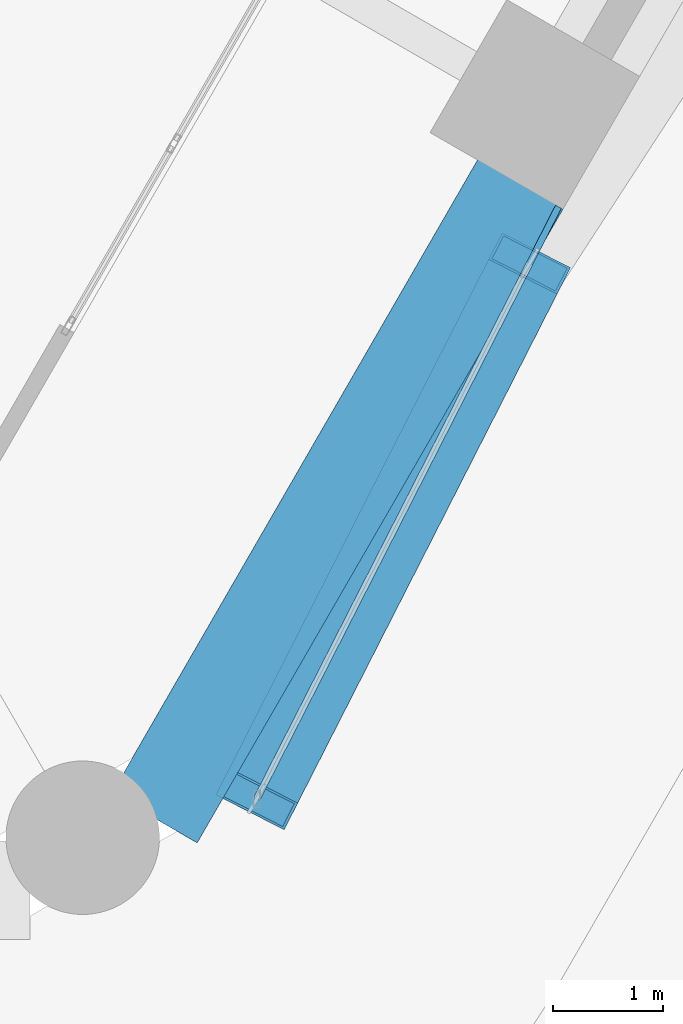
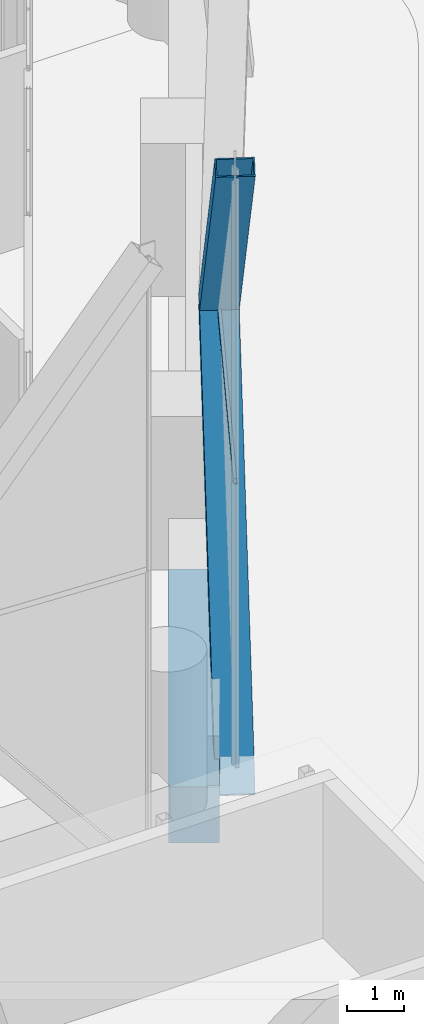
# One storey, part 29 of 71: 3 members, 1 beam, 1 element without a shape of its own.
"""IFC4 building model written with IfcOpenShell, lengths in metres."""

import ifcopenshell
import ifcopenshell.guid

model = None  # the IFC model being written
_history = None  # IfcOwnerHistory: only IFC2X3 demands one
_inside = {}  # id of a spatial element -> (the spatial element, [elements in it])
_under = {}  # id of a project, library or spatial element -> (it, [spatial elements below it])
_declared = {}  # id of a project -> (the project, [libraries it declares])
_typed = {}  # id of a type object -> (the type object, [elements of that type])
_made_of = {}  # id of a material, layer set ... -> (it, [elements and type objects made of it])


def new_model(schema):
    """Start an empty IFC model of exactly this schema.

    Asked for "IFC4X3", IfcOpenShell would pick the latest addendum, in which some entities
    have other attributes; the version numbers below select the first issue.
    IFC2X3 requires an IfcOwnerHistory on every rooted entity: one is made here for all.
    """
    global model, _history
    if schema == "IFC4X3":
        model = ifcopenshell.file(schema_version=(4, 3, 0, 0))
    else:
        model = ifcopenshell.file(schema=schema)
    _inside.clear()
    _under.clear()
    _declared.clear()
    _typed.clear()
    _made_of.clear()
    _history = None
    if model.schema == "IFC2X3":
        org = make("IfcOrganization", Name="unknown")
        user = make(
            "IfcPersonAndOrganization",
            ThePerson=make("IfcPerson", FamilyName="unknown"),
            TheOrganization=org,
        )
        app = make(
            "IfcApplication",
            ApplicationDeveloper=org,
            Version="unknown",
            ApplicationFullName="unknown",
            ApplicationIdentifier="unknown",
        )
        _history = make(
            "IfcOwnerHistory",
            OwningUser=user,
            OwningApplication=app,
            ChangeAction="ADDED",
            CreationDate=0,
        )
    return model


def make(cls, **values):
    """One entity of the class cls with the attributes given. An attribute that is None is left unset."""
    return model.create_entity(
        cls, **{name: value for name, value in values.items() if value is not None}
    )


def rooted(cls, **values):
    """An entity with a GlobalId (a new one), such as an element, a storey or a relation."""
    return make(cls, GlobalId=ifcopenshell.guid.new(), OwnerHistory=_history, **values)


def si_unit(unit_type, name, prefix=None):
    """IfcSIUnit, for example si_unit("LENGTHUNIT", "METRE", prefix="MILLI")."""
    return make("IfcSIUnit", UnitType=unit_type, Prefix=prefix, Name=name)


def assignment(units):
    """IfcUnitAssignment: the units of a project."""
    return None if units is None else make("IfcUnitAssignment", Units=units)


def point(xyz):
    """IfcCartesianPoint."""
    return None if xyz is None else make("IfcCartesianPoint", Coordinates=xyz)


def direction(xyz):
    """IfcDirection."""
    return None if xyz is None else make("IfcDirection", DirectionRatios=xyz)


def frame(location, z_axis=None, x_axis=None):
    """IfcAxis2Placement3D, a coordinate frame: its origin and axes. An axis left out is left unset."""
    return make(
        "IfcAxis2Placement3D",
        Location=point(location),
        Axis=direction(z_axis),
        RefDirection=direction(x_axis),
    )


def frame_2d(location, x_axis=None):
    """IfcAxis2Placement2D, a coordinate frame in the plane: its origin and x axis."""
    return make(
        "IfcAxis2Placement2D", Location=point(location), RefDirection=direction(x_axis)
    )


def origin():
    """The frame at (0, 0, 0) with its axes left unset."""
    return frame((0.0, 0.0, 0.0))


def origin_2d():
    """The frame at (0, 0) in the plane with its x axis left unset."""
    return frame_2d((0.0, 0.0))


def place(relative_to, where):
    """IfcLocalPlacement: puts the frame where relative to a parent placement (None: the world)."""
    return make(
        "IfcLocalPlacement", PlacementRelTo=relative_to, RelativePlacement=where
    )


def context(
    kind, dimensions, precision=None, world=None, true_north=None, identifier=None
):
    """IfcGeometricRepresentationContext, for example the 3D "Model" context."""
    return make(
        "IfcGeometricRepresentationContext",
        ContextIdentifier=identifier,
        ContextType=kind,
        CoordinateSpaceDimension=dimensions,
        Precision=precision,
        WorldCoordinateSystem=world,
        TrueNorth=true_north,
    )


def subcontext(parent, identifier, kind, view, scale=None):
    """IfcGeometricRepresentationSubContext, for example "Body" below "Model"."""
    return make(
        "IfcGeometricRepresentationSubContext",
        ContextIdentifier=identifier,
        ContextType=kind,
        ParentContext=parent,
        TargetScale=scale,
        TargetView=view,
    )


def project(units=None, contexts=None):
    """IfcProject with its units and contexts."""
    return rooted(
        "IfcProject",
        Name="project",
        RepresentationContexts=contexts,
        UnitsInContext=assignment(units),
    )


def spatial(cls, under=None, at=None, **own):
    """A site, building, storey or space (cls), placed at a placement, below another one or the project."""
    s = rooted(cls, ObjectPlacement=at, **own)
    if under is not None:
        _under.setdefault(under.id(), (under, []))[1].append(s)
    return s


def profile(cls, at=None, kind="AREA", **sizes):
    """A parametric profile (cls). Its sizes go by their IFC names, for example OverallWidth=200.0."""
    return make(cls, ProfileType=kind, Position=at, **sizes)


def rectangle(**sizes):
    """IfcRectangleProfileDef."""
    return profile("IfcRectangleProfileDef", **sizes)


def hollow_rectangle(**sizes):
    """IfcRectangleHollowProfileDef."""
    return profile("IfcRectangleHollowProfileDef", **sizes)


def extrude(swept, where, along, depth):
    """IfcExtrudedAreaSolid: the profile swept, set in the frame where, extruded along a direction by depth."""
    return make(
        "IfcExtrudedAreaSolid",
        SweptArea=swept,
        Position=where,
        ExtrudedDirection=direction(along),
        Depth=depth,
    )


def shape(context_of_items, identifier, shape_type, items):
    """IfcShapeRepresentation: the items that make up one representation, for example the "Body"."""
    return make(
        "IfcShapeRepresentation",
        ContextOfItems=context_of_items,
        RepresentationIdentifier=identifier,
        RepresentationType=shape_type,
        Items=items,
    )


def material(Name=None, Category=None):
    """IfcMaterial."""
    return make("IfcMaterial", Name=Name, Category=Category)


def material_profile(
    of_material, cross_section, Name=None, Category=None, Priority=None
):
    """IfcMaterialProfile: a cross section and its material."""
    return make(
        "IfcMaterialProfile",
        Name=Name,
        Material=of_material,
        Profile=cross_section,
        Priority=Priority,
        Category=Category,
    )


def profile_set(profiles, Name=None, composite=None):
    """IfcMaterialProfileSet."""
    return make(
        "IfcMaterialProfileSet",
        Name=Name,
        MaterialProfiles=profiles,
        CompositeProfile=composite,
    )


def made_of(thing, what):
    """Note that an element or type object is made of a material, layer set ...; save() writes the relation."""
    if what is not None:
        _made_of.setdefault(what.id(), (what, []))[1].append(thing)
    return thing


def type_object(cls, material=None, **own):
    """A type object (cls), such as IfcWallType, which elements share."""
    return made_of(rooted(cls, **own), material)


def element(
    cls,
    number,
    at=None,
    inside=None,
    cuts=None,
    type_object=None,
    material=None,
    context=None,
    identifier="Body",
    shape_type=None,
    held_by="IfcProductDefinitionShape",
    body=None,
    shapes=None,
    **own,
):
    """One element of the class cls, such as IfcWall. Its Tag is "e" and its number.

    at: its placement. inside: the storey or other place that contains it. cuts: it is an
    opening in that element (IfcRelVoidsElement). A single representation is given by context,
    identifier, shape_type and body (its items); several are given by shapes. held_by: the class
    of the entity that holds the representations. save() writes the other relations.
    """
    e = rooted(cls, Tag="e%d" % number, ObjectPlacement=at, **own)
    if body is not None:
        shapes = [shape(context, identifier, shape_type, body)]
    if shapes is not None:
        e.Representation = make(held_by, Representations=shapes)
    if inside is not None:
        _inside.setdefault(inside.id(), (inside, []))[1].append(e)
    if cuts is not None:
        rooted(
            "IfcRelVoidsElement", RelatingBuildingElement=cuts, RelatedOpeningElement=e
        )
    if type_object is not None:
        _typed.setdefault(type_object.id(), (type_object, []))[1].append(e)
    return made_of(e, material)


def aggregate(whole, parts):
    """IfcRelAggregates: a whole, such as a stair, and the parts it consists of."""
    return rooted("IfcRelAggregates", RelatingObject=whole, RelatedObjects=parts)


def save(model, path):
    """Write the relations noted so far, then the file.

    IfcRelAggregates (storeys below a building ...), IfcRelContainedInSpatialStructure (elements
    in a storey), IfcRelDefinesByType, IfcRelAssociatesMaterial and IfcRelDeclares: one each for
    every whole, place, type object, material and project.
    """
    for whole, parts in _under.values():
        aggregate(whole, parts)
    for where, things in _inside.values():
        rooted(
            "IfcRelContainedInSpatialStructure",
            RelatedElements=things,
            RelatingStructure=where,
        )
    for kind, things in _typed.values():
        rooted("IfcRelDefinesByType", RelatedObjects=things, RelatingType=kind)
    for what, things in _made_of.values():
        rooted("IfcRelAssociatesMaterial", RelatedObjects=things, RelatingMaterial=what)
    for by, libraries in _declared.values():
        rooted("IfcRelDeclares", RelatingContext=by, RelatedDefinitions=libraries)
    model.write(path)


model = new_model("IFC4")

# Units and contexts
model_context = context("Model", 3, precision=1e-05, world=origin(), true_north=direction((0.0, 1.0)))
body_context = subcontext(model_context, "Body", "Model", "MODEL_VIEW")
ifc_project = project(units=[si_unit("LENGTHUNIT", "METRE"), si_unit("AREAUNIT", "SQUARE_METRE"), si_unit("VOLUMEUNIT", "CUBIC_METRE"), si_unit("PLANEANGLEUNIT", "RADIAN"), si_unit("MASSUNIT", "GRAM", prefix="KILO")], contexts=[model_context])

# Site, building, storey
site_placement = place(None, origin())
site = spatial("IfcSite", under=ifc_project, at=site_placement, CompositionType="ELEMENT")
building_placement = place(site_placement, origin())
building = spatial("IfcBuilding", under=site, at=building_placement, Name="Ostrander Bayou Hotel Tower", CompositionType="ELEMENT")
storey_placement = place(building_placement, frame((0.0, 0.0, 10.0)))
storey = spatial("IfcBuildingStorey", under=building, at=storey_placement, Name="L02", CompositionType="ELEMENT", Elevation=10.0)

# Curtain wall, member
ifc_material_1 = material(Name="Aluminium and clear glass", Category="aluminium")
curtain_wall_type = type_object("IfcCurtainWallType", Name="CW-LAT lattice glazing", PredefinedType="NOTDEFINED", material=ifc_material_1)
curtain_wall_placement = place(storey_placement, origin())
curtain_wall = element("IfcCurtainWall", 1, at=curtain_wall_placement, inside=storey, type_object=curtain_wall_type, Name="CW-LAT L02 SE 2", PredefinedType="NOTDEFINED")
ifc_material_2 = material(Name="Aluminium", Category="aluminium")
ifc_material_profile_1 = material_profile(ifc_material_2, hollow_rectangle(XDim=0.06005859375, YDim=0.1201171875, WallThickness=0.00390625, at=origin_2d()))
ifc_profile_set_1 = profile_set([ifc_material_profile_1], Name="Aluminium")
member_type_1 = type_object("IfcMemberType", Name="CW-LA transom 60 x 120 mm", PredefinedType="USERDEFINED", material=ifc_profile_set_1)
member_placement = place(storey_placement, frame((13.637939453125, -20.5185546875, 6.14990234375), z_axis=(0.45398127214, 0.891011225825, 0.0), x_axis=(-0.891011225825, 0.45398127214, 0.0)))
member = element("IfcMember", 2, at=member_placement, type_object=member_type_1, Name="CW-LAT transom 3", ObjectType="TRANSOM", PredefinedType="USERDEFINED", context=body_context, shape_type="SweptSolid", body=[
    extrude(hollow_rectangle(XDim=0.06005859375, YDim=0.1201171875, WallThickness=0.00390625, at=origin_2d()), origin(), (0.0, 0.0, 1.0), 6.0634765625),
])
aggregate(curtain_wall, [member])

# Members
ifc_material_3 = material(Name="Steel ASTM A572 Gr 50", Category="steel")
ifc_material_profile_2 = material_profile(ifc_material_3, hollow_rectangle(XDim=0.699951171875, YDim=0.35009765625, WallThickness=0.02490234375, at=origin_2d()))
ifc_profile_set_2 = profile_set([ifc_material_profile_2], Name="Steel ASTM A572 Gr 50")
member_type_2 = type_object("IfcMemberType", Name="LT1 lattice member box 700 x 350 x 25 mm", PredefinedType="BRACE", material=ifc_profile_set_2)
for number, where, z_axis, x_axis, name in (
    (3, (16.126953125, -15.63330078125, 6.14990234375), (-0.286219486036, -0.561770663617, -0.776203663553), (0.891017407703, -0.453969139007, 0.0), "LT1 L02 SE 1"),
    (4, (16.126953125, -15.63330078125, 6.14990234375), (-0.286219486036, -0.561770663617, 0.776203663553), (0.891017407703, -0.453969139007, 0.0), "LT1 L02 SE 2"),
):
    element("IfcMember", number, at=place(storey_placement, frame(where, z_axis=z_axis, x_axis=x_axis)), inside=storey, type_object=member_type_2, Name=name, PredefinedType="BRACE", context=body_context, shape_type="SweptSolid", body=[
        extrude(hollow_rectangle(XDim=0.699951171875, YDim=0.35009765625, WallThickness=0.02490234375, at=origin_2d()), origin(), (0.0, 0.0, 1.0), 8.6962890625),
    ])

# Beam
ifc_material_4 = material(Name="Concrete f'c 70 MPa", Category="concrete")
ifc_material_profile_3 = material_profile(ifc_material_4, rectangle(XDim=0.89990234375, YDim=1.199951171875, at=origin_2d()))
ifc_profile_set_3 = profile_set([ifc_material_profile_3], Name="Concrete f'c 70 MPa")
beam_type = type_object("IfcBeamType", Name="SP1 spandrel beam 900 x 1200 mm f'c 70 MPa", PredefinedType="SPANDREL", material=ifc_profile_set_3)
beam_placement = place(storey_placement, frame((12.705078125, -20.694091796875, -0.60009765625), z_axis=(0.500005133765, 0.866022439784, 0.0), x_axis=(-0.866022439784, 0.500005133765, 0.0)))
element("IfcBeam", 5, at=beam_placement, inside=storey, type_object=beam_type, Name="SP1 L02 SE-1", PredefinedType="SPANDREL", context=body_context, shape_type="SweptSolid", body=[
    extrude(rectangle(XDim=0.89990234375, YDim=1.199951171875, at=origin_2d()), origin(), (0.0, 0.0, 1.0), 6.70361328125),
])

save(model, "model.ifc")
